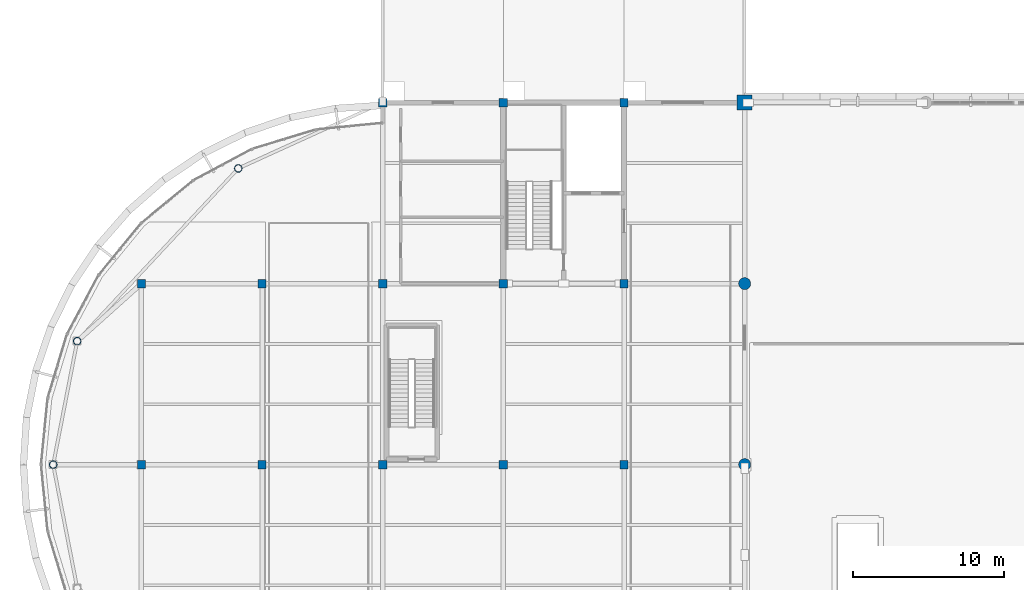
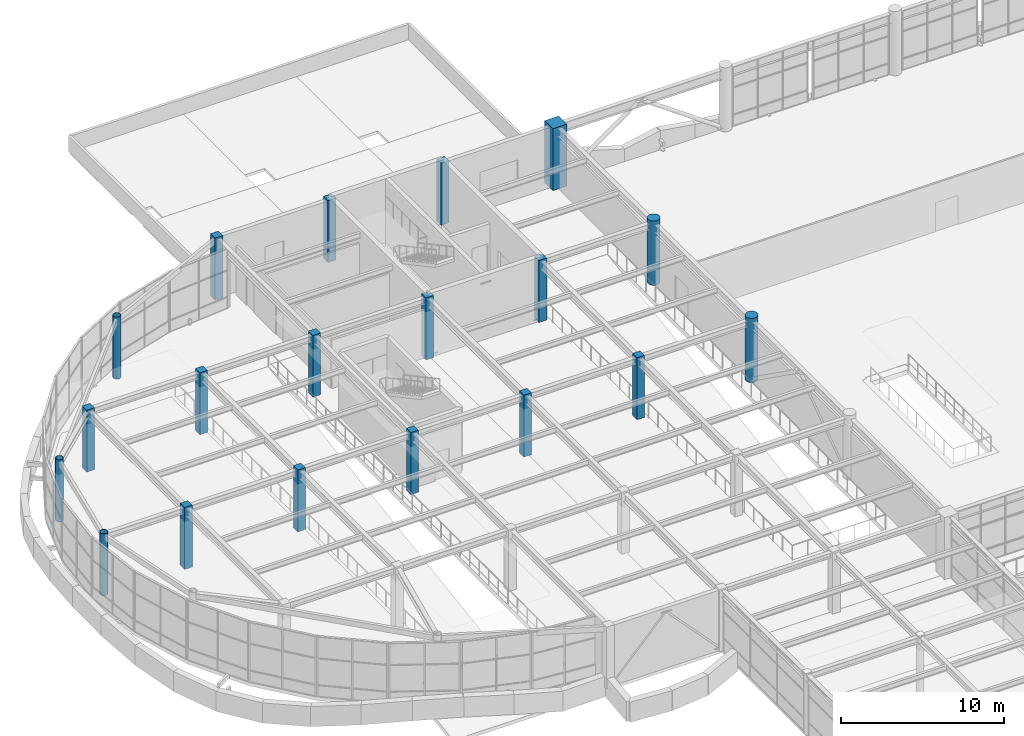
# One storey, part 4 of 72: 19 columns.
"""IFC4 building model written with IfcOpenShell, lengths in metres."""

from ifc_helpers import new_model, si_unit, direction, frame, origin, origin_2d, place, context, subcontext, project, spatial, rectangle, circle, hollow_circle, extrude, material, material_profile, profile_set, type_object, element, save


model = new_model("IFC4")

# Units and contexts
model_context = context("Model", 3, precision=1e-05, world=origin(), true_north=direction((0.0, 1.0)))
body_context = subcontext(model_context, "Body", "Model", "MODEL_VIEW")
ifc_project = project(units=[si_unit("LENGTHUNIT", "METRE"), si_unit("AREAUNIT", "SQUARE_METRE"), si_unit("VOLUMEUNIT", "CUBIC_METRE"), si_unit("PLANEANGLEUNIT", "RADIAN"), si_unit("MASSUNIT", "GRAM", prefix="KILO")], contexts=[model_context])

# Site, building, storey
site_placement = place(None, origin())
site = spatial("IfcSite", under=ifc_project, at=site_placement, CompositionType="ELEMENT")
building_placement = place(site_placement, origin())
building = spatial("IfcBuilding", under=site, at=building_placement, Name="Keelwater Ferry Terminal", CompositionType="ELEMENT")
storey_placement = place(building_placement, frame((0.0, 0.0, 5.39990234375)))
storey = spatial("IfcBuildingStorey", under=building, at=storey_placement, Name="L01", CompositionType="ELEMENT", Elevation=5.39990234375)

# Columns
ifc_material_1 = material(Name="Concrete C45/55", Category="concrete")
ifc_material_profile_1 = material_profile(ifc_material_1, rectangle(XDim=0.550048828125, YDim=0.550048828125, at=origin_2d()), Name="RC 550x550")
ifc_profile_set_1 = profile_set([ifc_material_profile_1], Name="Concrete C45/55")
column_type_1 = type_object("IfcColumnType", Name="C4 RC 550x550", PredefinedType="COLUMN", material=ifc_profile_set_1)
for number, where, z_axis, x_axis, name in (
    (1, (8.0, 66.0, 0.0), (0.0, 0.0, 1.0), (1.0, 0.0, 0.0), "Column CL-L01-0005"),
    (2, (8.0, 78.0, 0.0), (0.0, 0.0, 1.0), (1.0, 0.0, 0.0), "Column CL-L01-0008"),
    (3, (16.0, 66.0, 0.0), (0.0, 0.0, 1.0), (1.0, 0.0, 0.0), "Column CL-L01-0014"),
    (4, (16.0, 78.0, 0.0), (0.0, 0.0, 1.0), (1.0, 0.0, 0.0), "Column CL-L01-0017"),
    (5, (24.0, 66.0, 0.0), (0.0, 0.0, 1.0), (1.0, 0.0, 0.0), "Column CL-L01-0026"),
    (6, (24.0, 78.0, 0.0), (0.0, 0.0, 1.0), (1.0, 0.0, 0.0), "Column CL-L01-0029"),
    (7, (24.0, 90.0, 0.0), (0.0, 0.0, 1.0), (1.0, 0.0, 0.0), "Column CL-L01-0032"),
    (8, (32.0, 66.0, 0.0), (0.0, 0.0, 1.0), (1.0, 0.0, 0.0), "Column CL-L01-0051"),
    (9, (32.0, 78.0, 0.0), (0.0, 0.0, 1.0), (1.0, 0.0, 0.0), "Column CL-L01-0054"),
    (10, (32.0, 90.0, 0.0), (0.0, 0.0, 1.0), (1.0, 0.0, 0.0), "Column CL-L01-0057"),
    (11, (40.0, 66.0, 0.0), (0.0, 0.0, 1.0), (1.0, 0.0, 0.0), "Column CL-L01-0076"),
    (12, (40.0, 78.0, 0.0), (0.0, 0.0, 1.0), (1.0, 0.0, 0.0), "Column CL-L01-0079"),
    (13, (40.0, 90.0, 0.0), (0.0, 0.0, 1.0), (1.0, 0.0, 0.0), "Column CL-L01-0082"),
):
    element("IfcColumn", number, at=place(storey_placement, frame(where, z_axis=z_axis, x_axis=x_axis)), inside=storey, type_object=column_type_1, Name=name, PredefinedType="COLUMN", context=body_context, shape_type="SweptSolid", body=[
        extrude(rectangle(XDim=0.550048828125, YDim=0.550048828125, at=origin_2d()), origin(), (0.0, 0.0, 1.0), 4.64013671875),
    ])
ifc_material_2 = material(Name="Concrete C50/60", Category="concrete")
ifc_material_profile_2 = material_profile(ifc_material_2, circle(Radius=0.39990234375, at=origin_2d()), Name="RC D800")
ifc_profile_set_2 = profile_set([ifc_material_profile_2], Name="Concrete C50/60")
column_type_2 = type_object("IfcColumnType", Name="C6 RC D800", PredefinedType="COLUMN", material=ifc_profile_set_2)
for number, where, z_axis, x_axis, name in (
    (14, (48.0, 66.0, 0.0), (0.0, 0.0, 1.0), (1.0, 0.0, 0.0), "Column CL-L01-0101"),
    (15, (48.0, 78.0, 0.0), (0.0, 0.0, 1.0), (1.0, 0.0, 0.0), "Column CL-L01-0104"),
):
    element("IfcColumn", number, at=place(storey_placement, frame(where, z_axis=z_axis, x_axis=x_axis)), inside=storey, type_object=column_type_2, Name=name, PredefinedType="COLUMN", context=body_context, shape_type="SweptSolid", body=[
        extrude(circle(Radius=0.39990234375, at=origin_2d()), origin(), (0.0, 0.0, 1.0), 4.800048828125),
    ])
ifc_material_3 = material(Name="Steel S355", Category="steel")
ifc_material_profile_3 = material_profile(ifc_material_3, hollow_circle(Radius=0.25390625, WallThickness=0.02001953125, at=origin_2d()), Name="CHS 508x20")
ifc_profile_set_3 = profile_set([ifc_material_profile_3], Name="Steel S355")
column_type_3 = type_object("IfcColumnType", Name="C8E CHS 508x20", PredefinedType="COLUMN", material=ifc_profile_set_3)
for number, where, z_axis, x_axis, name in (
    (16, (14.422119140625, 85.638916015625, 0.0), (0.0, 0.0, 1.0), (1.0, 0.0, 0.0), "Column CL-L01-0528"),
    (17, (3.740966796875, 74.18505859375, 0.0), (0.0, 0.0, 1.0), (1.0, 0.0, 0.0), "Column CL-L01-0531"),
    (18, (2.14990234375, 66.0, 0.0), (0.0, 0.0, 1.0), (1.0, 0.0, 0.0), "Column CL-L01-0534"),
):
    element("IfcColumn", number, at=place(storey_placement, frame(where, z_axis=z_axis, x_axis=x_axis)), inside=storey, type_object=column_type_3, Name=name, PredefinedType="COLUMN", context=body_context, shape_type="SweptSolid", body=[
        extrude(hollow_circle(Radius=0.25390625, WallThickness=0.02001953125, at=origin_2d()), origin(), (0.0, 0.0, 1.0), 4.64013671875),
    ])
ifc_material_4 = material(Name="Concrete C50/60", Category="concrete")
ifc_material_profile_4 = material_profile(ifc_material_4, rectangle(XDim=1.0, YDim=1.0, at=origin_2d()), Name="RC 1000x1000")
ifc_profile_set_4 = profile_set([ifc_material_profile_4], Name="Concrete C50/60")
column_type_4 = type_object("IfcColumnType", Name="MC1 RC 1000x1000", PredefinedType="COLUMN", material=ifc_profile_set_4)
column_placement = place(storey_placement, frame((48.0, 90.0, 0.0), z_axis=(0.0, 0.0, 1.0), x_axis=(1.0, 0.0, 0.0)))
element("IfcColumn", 19, at=column_placement, inside=storey, type_object=column_type_4, Name="Column CL-L01-0107", PredefinedType="COLUMN", context=body_context, shape_type="SweptSolid", body=[
    extrude(rectangle(XDim=1.0, YDim=1.0, at=origin_2d()), origin(), (0.0, 0.0, 1.0), 4.64013671875),
])

save(model, "model.ifc")
